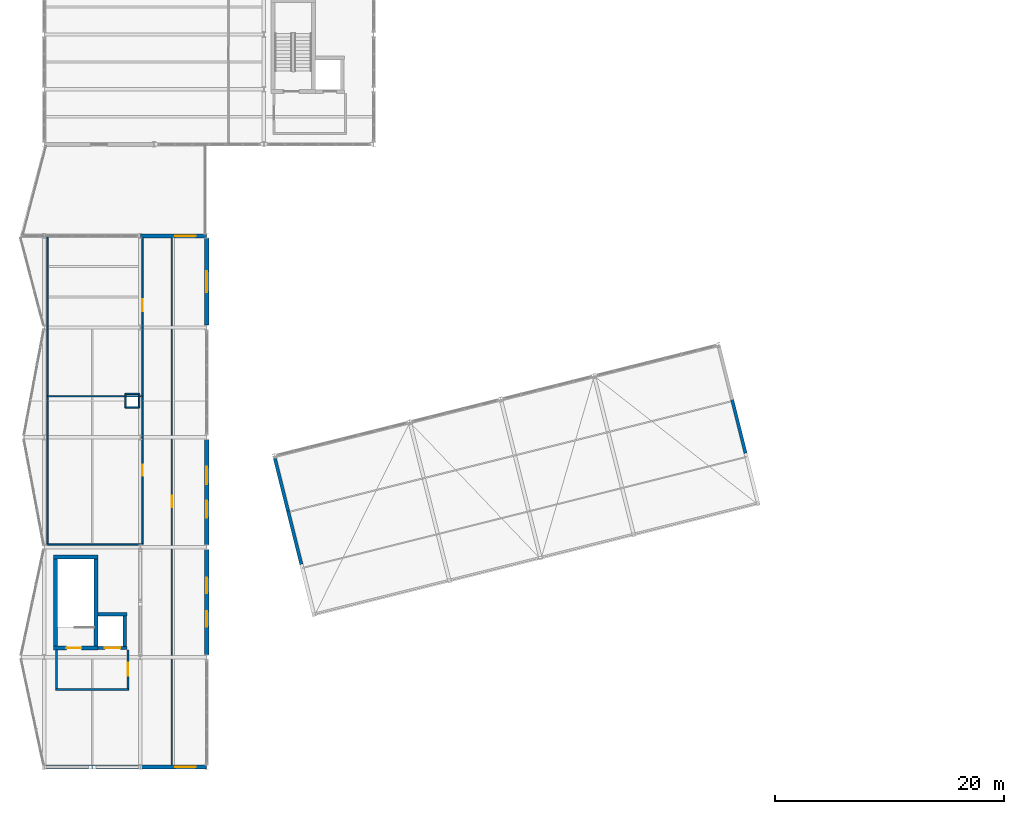
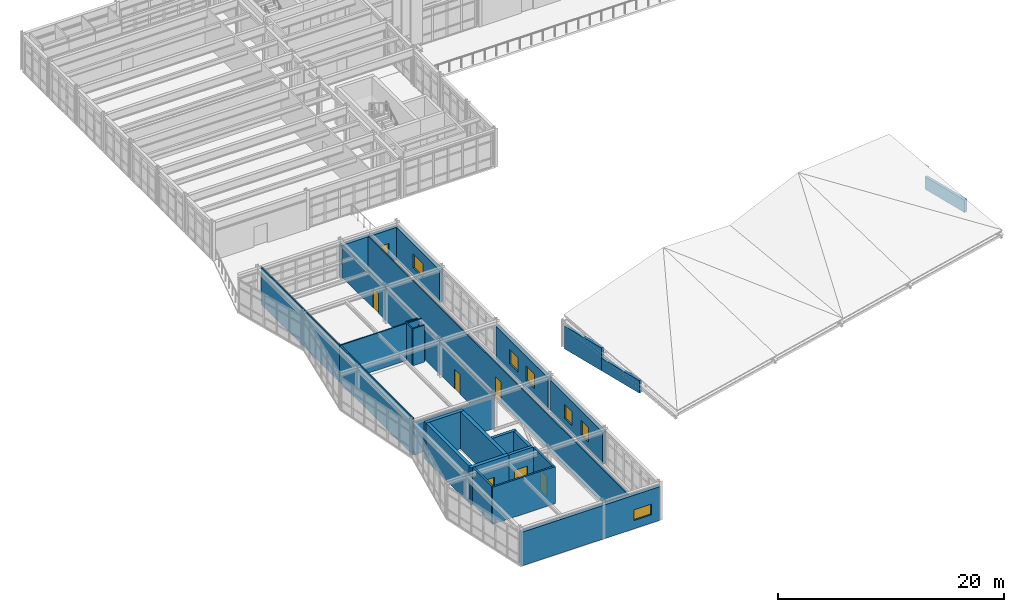
# One storey, part 40 of 47: 30 walls, 7 windows, 6 doors, 13 openings.
"""IFC4 building model written with IfcOpenShell, lengths in metres."""

from ifc_helpers import new_model, si_unit, direction, frame, frame_2d, origin, place, context, subcontext, project, spatial, rectangle, extrude, material, layer, layer_set, type_object, element, fill, save


model = new_model("IFC4")

# Units and contexts
model_context = context("Model", 3, precision=1e-05, world=origin(), true_north=direction((0.0, 1.0)))
body_context = subcontext(model_context, "Body", "Model", "MODEL_VIEW")
ifc_project = project(units=[si_unit("LENGTHUNIT", "METRE"), si_unit("AREAUNIT", "SQUARE_METRE"), si_unit("VOLUMEUNIT", "CUBIC_METRE"), si_unit("PLANEANGLEUNIT", "RADIAN"), si_unit("MASSUNIT", "GRAM", prefix="KILO")], contexts=[model_context])

# Site, building, storey
site_placement = place(None, origin())
site = spatial("IfcSite", under=ifc_project, at=site_placement, CompositionType="ELEMENT")
building_placement = place(site_placement, origin())
building = spatial("IfcBuilding", under=site, at=building_placement, Name="Nordkorset Police Headquarters", CompositionType="ELEMENT")
storey_placement = place(building_placement, frame((0.0, 0.0, 22.050048828125)))
storey = spatial("IfcBuildingStorey", under=building, at=storey_placement, Name="L05", CompositionType="ELEMENT", Elevation=22.050048828125)

# Walls
ifc_material_1 = material(Name="Gypsum board", Category="gypsum")
ifc_layer_1 = layer(ifc_material_1, 0.179931640625, Name="Gypsum board")
ifc_layer_set_1 = layer_set([ifc_layer_1], Name="Gypsum board")
wall_type_1 = type_object("IfcWallType", Name="Wall_Comp_180", PredefinedType="PARTITIONING", material=ifc_layer_set_1)
wall_1_placement = place(storey_placement, frame((1.0, 35.56005859375, 0.0), z_axis=(0.0, 0.0, 1.0), x_axis=(1.0, 0.0, 0.0)))
element("IfcWall", 1, at=wall_1_placement, inside=storey, type_object=wall_type_1, Name="Firefighting Lobby EI 60 Wall K4 L05 S", PredefinedType="PARTITIONING", context=body_context, shape_type="SweptSolid", body=[
    extrude(rectangle(XDim=6.39990234375, YDim=0.179931640625, at=frame_2d((3.199951171875, 0.0))), origin(), (0.0, 0.0, 1.0), 4.0),
])
wall_2_placement = place(storey_placement, frame((1.090087890625, 35.64990234375, 0.0), z_axis=(0.0, 0.0, 1.0), x_axis=(0.0, 1.0, 0.0)))
element("IfcWall", 2, at=wall_2_placement, inside=storey, type_object=wall_type_1, Name="Firefighting Lobby EI 60 Wall K4 L05 W", PredefinedType="PARTITIONING", context=body_context, shape_type="SweptSolid", body=[
    extrude(rectangle(XDim=3.375, YDim=0.179931640625, at=frame_2d((1.6875, 0.0))), origin(), (0.0, 0.0, 1.0), 4.0),
])

# Wall, opening, door
wall_3_placement = place(storey_placement, frame((7.31005859375, 35.64990234375, 0.0), z_axis=(0.0, 0.0, 1.0), x_axis=(0.0, 1.0, 0.0)))
wall_3 = element("IfcWall", 3, at=wall_3_placement, inside=storey, type_object=wall_type_1, Name="Firefighting Lobby EI 60 Wall K4 L05 E", PredefinedType="PARTITIONING", context=body_context, shape_type="SweptSolid", body=[
    extrude(rectangle(XDim=3.375, YDim=0.179931640625, at=frame_2d((1.6875, 0.0))), origin(), (0.0, 0.0, 1.0), 4.0),
])
opening_1_placement = place(wall_3_placement, frame((1.112548828125, 0.0, 0.0)))
opening_1 = element("IfcOpeningElement", 4, at=opening_1_placement, cuts=wall_3, Name="Opening DR-01", PredefinedType="OPENING", context=body_context, shape_type="SweptSolid", body=[
    extrude(rectangle(XDim=1.14990234375, YDim=2.14990234375, at=frame_2d((0.574951171875, 1.074951171875))), frame((0.0, 0.10009765625, 0.0), z_axis=(0.0, -1.0, 0.0), x_axis=(1.0, 0.0, 0.0)), (0.0, 0.0, 1.0), 0.199951171875),
])
ifc_material_2 = material(Name="Steel S355J2", Category="steel")
door_type_1 = type_object("IfcDoorType", Name="Door_LobbySingle_1150x2150", OperationType="NOTDEFINED", PredefinedType="DOOR", material=ifc_material_2)
door_1_placement = place(opening_1_placement, origin())
door_1 = element("IfcDoor", 5, at=door_1_placement, inside=storey, type_object=door_type_1, Name="Firefighting Lobby Smoke Door K4 L05 E", OperationType="SINGLE_SWING_LEFT", OverallHeight=2.14990234375, OverallWidth=1.14990234375, PredefinedType="DOOR", context=body_context, shape_type="SweptSolid", body=[
    extrude(rectangle(XDim=1.14990234375, YDim=2.14990234375, at=frame_2d((0.574951171875, 1.074951171875))), frame((0.0, 0.02490234375, 0.0), z_axis=(0.0, -1.0, 0.0), x_axis=(1.0, 0.0, 0.0)), (0.0, 0.0, 1.0), 0.050048828125),
])
fill(opening_1, door_1)

ifc_material_3 = material(Name="Concrete C35/45", Category="concrete")
ifc_layer_2 = layer(ifc_material_3, 0.35009765625, Name="Concrete C35/45")
ifc_layer_set_2 = layer_set([ifc_layer_2], Name="Concrete C35/45")
wall_type_2 = type_object("IfcWallType", Name="Wall_CoreShear_350", PredefinedType="SHEAR", material=ifc_layer_set_2)
wall_4_placement = place(storey_placement, frame((0.824951171875, 39.199951171875, 0.0), z_axis=(0.0, 0.0, 1.0), x_axis=(1.0, 0.0, 0.0)))
wall_4 = element("IfcWall", 6, at=wall_4_placement, inside=storey, type_object=wall_type_2, Name="Core K4 Stair Shaft South Shear Wall L05", PredefinedType="SHEAR", context=body_context, shape_type="SweptSolid", body=[
    extrude(rectangle(XDim=3.900146484375, YDim=0.35009765625, at=frame_2d((1.9501953125, 0.0))), origin(), (0.0, 0.0, 1.0), 4.0),
])
opening_2_placement = place(wall_4_placement, frame((1.125, 0.0, 0.0)))
opening_2 = element("IfcOpeningElement", 7, at=opening_2_placement, cuts=wall_4, Name="Opening DR-20", PredefinedType="OPENING", context=body_context, shape_type="SweptSolid", body=[
    extrude(rectangle(XDim=1.300048828125, YDim=2.14990234375, at=frame_2d((0.64990234375, 1.074951171875))), frame((0.0, 0.18505859375, 0.0), z_axis=(0.0, -1.0, 0.0), x_axis=(1.0, 0.0, 0.0)), (0.0, 0.0, 1.0), 0.3701171875),
])
ifc_material_4 = material(Name="Steel S355J2", Category="steel")
door_type_2 = type_object("IfcDoorType", Name="Door_Stair_1300x2150", OperationType="NOTDEFINED", PredefinedType="DOOR", material=ifc_material_4)
door_2_placement = place(opening_2_placement, frame((1.300048828125, 0.0, 0.0), z_axis=(0.0, 0.0, 1.0), x_axis=(-1.0, 0.0, 0.0)))
door_2 = element("IfcDoor", 8, at=door_2_placement, inside=storey, type_object=door_type_2, Name="Protected Stair Fire Door ST-04 L05", OperationType="SINGLE_SWING_RIGHT", OverallHeight=2.14990234375, OverallWidth=1.300048828125, PredefinedType="DOOR", context=body_context, shape_type="SweptSolid", body=[
    extrude(rectangle(XDim=1.300048828125, YDim=2.14990234375, at=frame_2d((0.64990234375, 1.074951171875))), frame((0.0, 0.02490234375, 0.0), z_axis=(0.0, -1.0, 0.0), x_axis=(1.0, 0.0, 0.0)), (0.0, 0.0, 1.0), 0.050048828125),
])
fill(opening_2, door_2)

# Walls
wall_5_placement = place(storey_placement, frame((0.824951171875, 47.14990234375, 0.0), z_axis=(0.0, 0.0, 1.0), x_axis=(1.0, 0.0, 0.0)))
element("IfcWall", 9, at=wall_5_placement, inside=storey, type_object=wall_type_2, Name="Core K4 Stair Shaft North Shear Wall L05", PredefinedType="SHEAR", context=body_context, shape_type="SweptSolid", body=[
    extrude(rectangle(XDim=3.900146484375, YDim=0.35009765625, at=frame_2d((1.9501953125, 0.0))), origin(), (0.0, 0.0, 1.0), 4.0),
])
for number, where, z_axis, x_axis, name in (
    (10, (1.0, 39.375, 0.0), (0.0, 0.0, 1.0), (0.0, 1.0, 0.0), "Core K4 Stair Shaft West Shear Wall L05"),
    (11, (4.550048828125, 39.375, 0.0), (0.0, 0.0, 1.0), (0.0, 1.0, 0.0), "Core K4 Stair Shaft East Shear Wall L05"),
):
    element("IfcWall", number, at=place(storey_placement, frame(where, z_axis=z_axis, x_axis=x_axis)), inside=storey, type_object=wall_type_2, Name=name, PredefinedType="SHEAR", context=body_context, shape_type="SweptSolid", body=[
        extrude(rectangle(XDim=7.60009765625, YDim=0.35009765625, at=frame_2d((3.800048828125, 0.0))), origin(), (0.0, 0.0, 1.0), 4.0),
    ])

# Wall, openings, windows
ifc_material_5 = material(Name="Precast concrete C40/50", Category="concrete")
ifc_layer_3 = layer(ifc_material_5, 0.360107421875, Name="Precast concrete C40/50")
ifc_layer_set_3 = layer_set([ifc_layer_3], Name="Precast concrete C40/50")
wall_type_3 = type_object("IfcWallType", Name="Wall_ExtPrecast_360", PredefinedType="SOLIDWALL", material=ifc_layer_set_3)
wall_6_placement = place(storey_placement, frame((14.199951171875, 38.60205078125, 0.0), z_axis=(0.0, 0.0, 1.0), x_axis=(0.0, 1.0, 0.0)))
wall_6 = element("IfcWall", 12, at=wall_6_placement, inside=storey, type_object=wall_type_3, Name="Exterior Insulated Precast Wall L05 V3E-1", PredefinedType="SOLIDWALL", context=body_context, shape_type="SweptSolid", body=[
    extrude(rectangle(XDim=9.196044921875, YDim=0.360107421875, at=frame_2d((4.59814453125, 0.0))), origin(), (0.0, 0.0, 1.0), 3.5048828125),
])
opening_3_placement = place(wall_6_placement, frame((2.456298828125, 0.0, 0.89990234375)))
opening_3 = element("IfcOpeningElement", 13, at=opening_3_placement, cuts=wall_6, Name="Opening WN-22", PredefinedType="OPENING", context=body_context, shape_type="SweptSolid", body=[
    extrude(rectangle(XDim=1.35009765625, YDim=1.550048828125, at=frame_2d((0.675048828125, 0.77490234375))), frame((0.0, 0.18994140625, 0.0), z_axis=(0.0, -1.0, 0.0), x_axis=(1.0, 0.0, 0.0)), (0.0, 0.0, 1.0), 0.380126953125),
])
opening_4_placement = place(wall_6_placement, frame((5.3896484375, 0.0, 0.89990234375)))
opening_4 = element("IfcOpeningElement", 14, at=opening_4_placement, cuts=wall_6, Name="Opening WN-22", PredefinedType="OPENING", context=body_context, shape_type="SweptSolid", body=[
    extrude(rectangle(XDim=1.35009765625, YDim=1.550048828125, at=frame_2d((0.675048828125, 0.77490234375))), frame((0.0, 0.18994140625, 0.0), z_axis=(0.0, -1.0, 0.0), x_axis=(1.0, 0.0, 0.0)), (0.0, 0.0, 1.0), 0.380126953125),
])
ifc_material_6 = material(Name="Low-iron triple glazing", Category="glass")
window_type_1 = type_object("IfcWindowType", Name="Win_1350x1550", PartitioningType="SINGLE_PANEL", PredefinedType="WINDOW", material=ifc_material_6)
window_1_placement = place(opening_3_placement, origin())
window_1 = element("IfcWindow", 15, at=window_1_placement, inside=storey, type_object=window_type_1, Name="Triple-Glazed Exterior Window L05 V3E-1-1", OverallHeight=1.550048828125, OverallWidth=1.35009765625, PartitioningType="SINGLE_PANEL", PredefinedType="WINDOW", context=body_context, shape_type="SweptSolid", body=[
    extrude(rectangle(XDim=1.35009765625, YDim=1.550048828125, at=frame_2d((0.675048828125, 0.77490234375))), frame((0.0, 0.030029296875, 0.0), z_axis=(0.0, -1.0, 0.0), x_axis=(1.0, 0.0, 0.0)), (0.0, 0.0, 1.0), 0.06005859375),
])
fill(opening_3, window_1)
window_2_placement = place(opening_4_placement, origin())
window_2 = element("IfcWindow", 16, at=window_2_placement, inside=storey, type_object=window_type_1, Name="Triple-Glazed Exterior Window L05 V3E-1-2", OverallHeight=1.550048828125, OverallWidth=1.35009765625, PartitioningType="SINGLE_PANEL", PredefinedType="WINDOW", context=body_context, shape_type="SweptSolid", body=[
    extrude(rectangle(XDim=1.35009765625, YDim=1.550048828125, at=frame_2d((0.675048828125, 0.77490234375))), frame((0.0, 0.030029296875, 0.0), z_axis=(0.0, -1.0, 0.0), x_axis=(1.0, 0.0, 0.0)), (0.0, 0.0, 1.0), 0.06005859375),
])
fill(opening_4, window_2)

wall_7_placement = place(storey_placement, frame((14.199951171875, 48.201904296875, 0.0), z_axis=(0.0, 0.0, 1.0), x_axis=(0.0, 1.0, 0.0)))
wall_7 = element("IfcWall", 17, at=wall_7_placement, inside=storey, type_object=wall_type_3, Name="Exterior Insulated Precast Wall L05 V3E-2", PredefinedType="SOLIDWALL", context=body_context, shape_type="SweptSolid", body=[
    extrude(rectangle(XDim=9.196044921875, YDim=0.360107421875, at=frame_2d((4.59814453125, 0.0))), origin(), (0.0, 0.0, 1.0), 3.5048828125),
])
opening_5_placement = place(wall_7_placement, frame((2.38134765625, 0.0, 0.89990234375)))
opening_5 = element("IfcOpeningElement", 18, at=opening_5_placement, cuts=wall_7, Name="Opening WN-50", PredefinedType="OPENING", context=body_context, shape_type="SweptSolid", body=[
    extrude(rectangle(XDim=1.5, YDim=1.550048828125, at=frame_2d((0.75, 0.77490234375))), frame((0.0, 0.18994140625, 0.0), z_axis=(0.0, -1.0, 0.0), x_axis=(1.0, 0.0, 0.0)), (0.0, 0.0, 1.0), 0.380126953125),
])
opening_6_placement = place(wall_7_placement, frame((5.314697265625, 0.0, 0.89990234375)))
opening_6 = element("IfcOpeningElement", 19, at=opening_6_placement, cuts=wall_7, Name="Opening WN-50", PredefinedType="OPENING", context=body_context, shape_type="SweptSolid", body=[
    extrude(rectangle(XDim=1.5, YDim=1.550048828125, at=frame_2d((0.75, 0.77490234375))), frame((0.0, 0.18994140625, 0.0), z_axis=(0.0, -1.0, 0.0), x_axis=(1.0, 0.0, 0.0)), (0.0, 0.0, 1.0), 0.380126953125),
])
ifc_material_7 = material(Name="Low-iron triple glazing", Category="glass")
window_type_2 = type_object("IfcWindowType", Name="Win_1500x1550", PartitioningType="SINGLE_PANEL", PredefinedType="WINDOW", material=ifc_material_7)
window_3_placement = place(opening_5_placement, origin())
window_3 = element("IfcWindow", 20, at=window_3_placement, inside=storey, type_object=window_type_2, Name="Triple-Glazed Exterior Window L05 V3E-2-1", OverallHeight=1.550048828125, OverallWidth=1.5, PartitioningType="SINGLE_PANEL", PredefinedType="WINDOW", context=body_context, shape_type="SweptSolid", body=[
    extrude(rectangle(XDim=1.5, YDim=1.550048828125, at=frame_2d((0.75, 0.77490234375))), frame((0.0, 0.030029296875, 0.0), z_axis=(0.0, -1.0, 0.0), x_axis=(1.0, 0.0, 0.0)), (0.0, 0.0, 1.0), 0.06005859375),
])
fill(opening_5, window_3)
window_4_placement = place(opening_6_placement, origin())
window_4 = element("IfcWindow", 21, at=window_4_placement, inside=storey, type_object=window_type_2, Name="Triple-Glazed Exterior Window L05 V3E-2-2", OverallHeight=1.550048828125, OverallWidth=1.5, PartitioningType="SINGLE_PANEL", PredefinedType="WINDOW", context=body_context, shape_type="SweptSolid", body=[
    extrude(rectangle(XDim=1.5, YDim=1.550048828125, at=frame_2d((0.75, 0.77490234375))), frame((0.0, 0.030029296875, 0.0), z_axis=(0.0, -1.0, 0.0), x_axis=(1.0, 0.0, 0.0)), (0.0, 0.0, 1.0), 0.06005859375),
])
fill(opening_6, window_4)

# Wall, opening, window
wall_8_placement = place(storey_placement, frame((14.199951171875, 67.402099609375, 0.0), z_axis=(0.0, 0.0, 1.0), x_axis=(0.0, 1.0, 0.0)))
wall_8 = element("IfcWall", 22, at=wall_8_placement, inside=storey, type_object=wall_type_3, Name="Exterior Insulated Precast Wall L05 V3E-4", PredefinedType="SOLIDWALL", context=body_context, shape_type="SweptSolid", body=[
    extrude(rectangle(XDim=7.595947265625, YDim=0.360107421875, at=frame_2d((3.7978515625, 0.0))), origin(), (0.0, 0.0, 1.0), 3.5048828125),
])
opening_7_placement = place(wall_8_placement, frame((2.89794921875, 0.0, 0.89990234375)))
opening_7 = element("IfcOpeningElement", 23, at=opening_7_placement, cuts=wall_8, Name="Opening WN-26", PredefinedType="OPENING", context=body_context, shape_type="SweptSolid", body=[
    extrude(rectangle(XDim=1.800048828125, YDim=1.550048828125, at=frame_2d((0.89990234375, 0.77490234375))), frame((0.0, 0.18994140625, 0.0), z_axis=(0.0, -1.0, 0.0), x_axis=(1.0, 0.0, 0.0)), (0.0, 0.0, 1.0), 0.380126953125),
])
ifc_material_8 = material(Name="Low-iron triple glazing", Category="glass")
window_type_3 = type_object("IfcWindowType", Name="Win_1800x1550", PartitioningType="SINGLE_PANEL", PredefinedType="WINDOW", material=ifc_material_8)
window_5_placement = place(opening_7_placement, origin())
window_5 = element("IfcWindow", 24, at=window_5_placement, inside=storey, type_object=window_type_3, Name="Triple-Glazed Exterior Window L05 V3E-4-1", OverallHeight=1.550048828125, OverallWidth=1.800048828125, PartitioningType="SINGLE_PANEL", PredefinedType="WINDOW", context=body_context, shape_type="SweptSolid", body=[
    extrude(rectangle(XDim=1.800048828125, YDim=1.550048828125, at=frame_2d((0.89990234375, 0.77490234375))), frame((0.0, 0.030029296875, 0.0), z_axis=(0.0, -1.0, 0.0), x_axis=(1.0, 0.0, 0.0)), (0.0, 0.0, 1.0), 0.06005859375),
])
fill(opening_7, window_5)

# Wall
wall_9_placement = place(storey_placement, frame((0.0087890625, 28.800048828125, 0.0), z_axis=(0.0, 0.0, 1.0), x_axis=(1.0, 0.0, 0.0)))
element("IfcWall", 25, at=wall_9_placement, inside=storey, type_object=wall_type_3, Name="Exterior Insulated Precast Wall L05 V3S-0A", PredefinedType="SOLIDWALL", context=body_context, shape_type="SweptSolid", body=[
    extrude(rectangle(XDim=8.382568359375, YDim=0.360107421875, at=frame_2d((4.19140625, 0.0))), origin(), (0.0, 0.0, 1.0), 3.635009765625),
])

# Wall, opening, window
wall_10_placement = place(storey_placement, frame((8.40869140625, 28.800048828125, 0.0), z_axis=(0.0, 0.0, 1.0), x_axis=(1.0, 0.0, 0.0)))
wall_10 = element("IfcWall", 26, at=wall_10_placement, inside=storey, type_object=wall_type_3, Name="Exterior Insulated Precast Wall L05 V3S-0B", PredefinedType="SOLIDWALL", context=body_context, shape_type="SweptSolid", body=[
    extrude(rectangle(XDim=5.782470703125, YDim=0.360107421875, at=frame_2d((2.89111328125, 0.0))), origin(), (0.0, 0.0, 1.0), 3.635009765625),
])
opening_8_placement = place(wall_10_placement, frame((3.041259765625, 0.0, 0.89990234375)))
opening_8 = element("IfcOpeningElement", 27, at=opening_8_placement, cuts=wall_10, Name="Opening WN-24", PredefinedType="OPENING", context=body_context, shape_type="SweptSolid", body=[
    extrude(rectangle(XDim=1.800048828125, YDim=1.14990234375, at=frame_2d((0.89990234375, 0.574951171875))), frame((0.0, 0.18994140625, 0.0), z_axis=(0.0, -1.0, 0.0), x_axis=(1.0, 0.0, 0.0)), (0.0, 0.0, 1.0), 0.380126953125),
])
ifc_material_9 = material(Name="Low-iron triple glazing", Category="glass")
window_type_4 = type_object("IfcWindowType", Name="Win_1800x1150", PartitioningType="SINGLE_PANEL", PredefinedType="WINDOW", material=ifc_material_9)
window_6_placement = place(opening_8_placement, origin())
window_6 = element("IfcWindow", 28, at=window_6_placement, inside=storey, type_object=window_type_4, Name="Triple-Glazed Exterior Window L05 V3S-0B-1", OverallHeight=1.14990234375, OverallWidth=1.800048828125, PartitioningType="SINGLE_PANEL", PredefinedType="WINDOW", context=body_context, shape_type="SweptSolid", body=[
    extrude(rectangle(XDim=1.800048828125, YDim=1.14990234375, at=frame_2d((0.89990234375, 0.574951171875))), frame((0.0, 0.030029296875, 0.0), z_axis=(0.0, -1.0, 0.0), x_axis=(1.0, 0.0, 0.0)), (0.0, 0.0, 1.0), 0.06005859375),
])
fill(opening_8, window_6)

wall_11_placement = place(storey_placement, frame((8.40869140625, 75.199951171875, 0.0), z_axis=(0.0, 0.0, 1.0), x_axis=(1.0, 0.0, 0.0)))
wall_11 = element("IfcWall", 29, at=wall_11_placement, inside=storey, type_object=wall_type_3, Name="Exterior Insulated Precast Wall L05 V3N-L05B", PredefinedType="SOLIDWALL", context=body_context, shape_type="SweptSolid", body=[
    extrude(rectangle(XDim=5.782470703125, YDim=0.360107421875, at=frame_2d((2.89111328125, 0.0))), origin(), (0.0, 0.0, 1.0), 3.5048828125),
])
opening_9_placement = place(wall_11_placement, frame((3.041259765625, 0.0, 0.89990234375)))
opening_9 = element("IfcOpeningElement", 30, at=opening_9_placement, cuts=wall_11, Name="Opening WN-24", PredefinedType="OPENING", context=body_context, shape_type="SweptSolid", body=[
    extrude(rectangle(XDim=1.800048828125, YDim=1.14990234375, at=frame_2d((0.89990234375, 0.574951171875))), frame((0.0, 0.18994140625, 0.0), z_axis=(0.0, -1.0, 0.0), x_axis=(1.0, 0.0, 0.0)), (0.0, 0.0, 1.0), 0.380126953125),
])
window_7_placement = place(opening_9_placement, origin())
window_7 = element("IfcWindow", 31, at=window_7_placement, inside=storey, type_object=window_type_4, Name="Triple-Glazed Exterior Window L05 V3N-L05B-1", OverallHeight=1.14990234375, OverallWidth=1.800048828125, PartitioningType="SINGLE_PANEL", PredefinedType="WINDOW", context=body_context, shape_type="SweptSolid", body=[
    extrude(rectangle(XDim=1.800048828125, YDim=1.14990234375, at=frame_2d((0.89990234375, 0.574951171875))), frame((0.0, 0.030029296875, 0.0), z_axis=(0.0, -1.0, 0.0), x_axis=(1.0, 0.0, 0.0)), (0.0, 0.0, 1.0), 0.06005859375),
])
fill(opening_9, window_7)

# Walls
ifc_material_10 = material(Name="Precast concrete C40/50", Category="concrete")
ifc_layer_4 = layer(ifc_material_10, 0.280029296875, Name="Precast concrete C40/50")
ifc_layer_set_4 = layer_set([ifc_layer_4], Name="Precast concrete C40/50")
wall_type_4 = type_object("IfcWallType", Name="Wall_ExtSpandrel_280", PredefinedType="SOLIDWALL", material=ifc_layer_set_4)
wall_12_placement = place(storey_placement, frame((22.4697265625, 46.520751953125, 0.0), z_axis=(0.0, 0.0, 1.0), x_axis=(-0.242501701449, 0.970150980412, 0.0)))
element("IfcWall", 32, at=wall_12_placement, inside=storey, type_object=wall_type_4, Name="Exterior Insulated Precast Wall L05 V4MS-W-0", PredefinedType="SOLIDWALL", context=body_context, shape_type="SweptSolid", body=[
    extrude(rectangle(XDim=5.080078125, YDim=0.280029296875, at=frame_2d((2.5400390625, 0.0))), origin(), (0.0, 0.0, 1.0), 1.349853515625),
])
wall_13_placement = place(storey_placement, frame((21.3056640625, 51.177490234375, 0.0), z_axis=(0.0, 0.0, 1.0), x_axis=(-0.242535625036, 0.970142500145, 0.0)))
element("IfcWall", 33, at=wall_13_placement, inside=storey, type_object=wall_type_4, Name="Exterior Insulated Precast Wall L05 V4MS-W-1", PredefinedType="SOLIDWALL", context=body_context, shape_type="SweptSolid", body=[
    extrude(rectangle(XDim=4.738037109375, YDim=0.280029296875, at=frame_2d((2.369140625, 0.0))), origin(), (0.0, 0.0, 1.0), 2.449951171875),
])
wall_14_placement = place(storey_placement, frame((61.275390625, 56.22216796875, 0.0), z_axis=(0.0, 0.0, 1.0), x_axis=(-0.242501701449, 0.970150980412, 0.0)))
element("IfcWall", 34, at=wall_14_placement, inside=storey, type_object=wall_type_4, Name="Exterior Insulated Precast Wall L05 V4MS-E-0", PredefinedType="SOLIDWALL", context=body_context, shape_type="SweptSolid", body=[
    extrude(rectangle(XDim=5.080078125, YDim=0.280029296875, at=frame_2d((2.5400390625, 0.0))), origin(), (0.0, 0.0, 1.0), 1.349853515625),
])
ifc_material_11 = material(Name="Gypsum board", Category="gypsum")
ifc_layer_5 = layer(ifc_material_11, 0.1201171875, Name="Gypsum board")
ifc_layer_set_5 = layer_set([ifc_layer_5], Name="Gypsum board")
wall_type_5 = type_object("IfcWallType", Name="Wall_Part_120", PredefinedType="PARTITIONING", material=ifc_layer_set_5)
wall_15_placement = place(storey_placement, frame((0.300048828125, 48.25, 0.0), z_axis=(0.0, 0.0, 1.0), x_axis=(1.0, 0.0, 0.0)))
element("IfcWall", 35, at=wall_15_placement, inside=storey, type_object=wall_type_5, Name="Interior Partition Wall Professional Standards and Audit Unit", PredefinedType="PARTITIONING", context=body_context, shape_type="SweptSolid", body=[
    extrude(rectangle(XDim=8.280029296875, YDim=0.1201171875, at=frame_2d((4.14013671875, 0.0))), origin(), (0.0, 0.0, 1.0), 3.5048828125),
])

# Wall, opening, door
wall_16_placement = place(storey_placement, frame((8.580078125, 48.25, 0.0), z_axis=(0.0, 0.0, 1.0), x_axis=(0.0, 1.0, 0.0)))
wall_16 = element("IfcWall", 36, at=wall_16_placement, inside=storey, type_object=wall_type_5, Name="Interior Partition Wall Professional Standards and Audit Unit", PredefinedType="PARTITIONING", context=body_context, shape_type="SweptSolid", body=[
    extrude(rectangle(XDim=12.949951171875, YDim=0.1201171875, at=frame_2d((6.47509765625, 0.0))), origin(), (0.0, 0.0, 1.0), 3.5048828125),
])
opening_10_placement = place(wall_16_placement, frame((5.985107421875, 0.0, 0.0)))
opening_10 = element("IfcOpeningElement", 37, at=opening_10_placement, cuts=wall_16, Name="Opening DR-18", PredefinedType="OPENING", context=body_context, shape_type="SweptSolid", body=[
    extrude(rectangle(XDim=0.97998046875, YDim=2.10009765625, at=frame_2d((0.489990234375, 1.050048828125))), frame((0.0, 0.070068359375, 0.0), z_axis=(0.0, -1.0, 0.0), x_axis=(1.0, 0.0, 0.0)), (0.0, 0.0, 1.0), 0.14013671875),
])
ifc_material_12 = material(Name="Glulam GL30c", Category="wood")
door_type_3 = type_object("IfcDoorType", Name="Door_Office_980x2100", OperationType="NOTDEFINED", PredefinedType="DOOR", material=ifc_material_12)
door_3_placement = place(opening_10_placement, frame((0.97998046875, 0.0, 0.0), z_axis=(0.0, 0.0, 1.0), x_axis=(-1.0, 0.0, 0.0)))
door_3 = element("IfcDoor", 38, at=door_3_placement, inside=storey, type_object=door_type_3, Name="Interior Door Professional Standards and Audit Unit", OperationType="SINGLE_SWING_RIGHT", OverallHeight=2.10009765625, OverallWidth=0.97998046875, PredefinedType="DOOR", context=body_context, shape_type="SweptSolid", body=[
    extrude(rectangle(XDim=0.97998046875, YDim=2.10009765625, at=frame_2d((0.489990234375, 1.050048828125))), frame((0.0, 0.02490234375, 0.0), z_axis=(0.0, -1.0, 0.0), x_axis=(1.0, 0.0, 0.0)), (0.0, 0.0, 1.0), 0.050048828125),
])
fill(opening_10, door_3)

# Walls
wall_17_placement = place(storey_placement, frame((8.580078125, 61.199951171875, 0.0), z_axis=(0.0, 0.0, 1.0), x_axis=(-1.0, 0.0, 0.0)))
element("IfcWall", 39, at=wall_17_placement, inside=storey, type_object=wall_type_5, Name="Interior Partition Wall Professional Standards and Audit Unit", PredefinedType="PARTITIONING", context=body_context, shape_type="SweptSolid", body=[
    extrude(rectangle(XDim=8.280029296875, YDim=0.1201171875, at=frame_2d((4.14013671875, 0.0))), origin(), (0.0, 0.0, 1.0), 4.0),
])
wall_18_placement = place(storey_placement, frame((0.300048828125, 61.199951171875, 0.0), z_axis=(0.0, 0.0, 1.0), x_axis=(0.0, -1.0, 0.0)))
element("IfcWall", 40, at=wall_18_placement, inside=storey, type_object=wall_type_5, Name="Interior Partition Wall Professional Standards and Audit Unit", PredefinedType="PARTITIONING", context=body_context, shape_type="SweptSolid", body=[
    extrude(rectangle(XDim=12.949951171875, YDim=0.1201171875, at=frame_2d((6.47509765625, 0.0))), origin(), (0.0, 0.0, 1.0), 4.0),
])

# Wall, opening, door
wall_19_placement = place(storey_placement, frame((8.580078125, 61.2548828125, 0.0), z_axis=(0.0, 0.0, 1.0), x_axis=(0.0, 1.0, 0.0)))
wall_19 = element("IfcWall", 41, at=wall_19_placement, inside=storey, type_object=wall_type_5, Name="Interior Partition Wall Information Governance and Privacy Office", PredefinedType="PARTITIONING", context=body_context, shape_type="SweptSolid", body=[
    extrude(rectangle(XDim=13.77001953125, YDim=0.1201171875, at=frame_2d((6.885009765625, 0.0))), origin(), (0.0, 0.0, 1.0), 3.5048828125),
])
opening_11_placement = place(wall_19_placement, frame((7.375, 0.0, 0.0)))
opening_11 = element("IfcOpeningElement", 42, at=opening_11_placement, cuts=wall_19, Name="Opening DR-19", PredefinedType="OPENING", context=body_context, shape_type="SweptSolid", body=[
    extrude(rectangle(XDim=1.02001953125, YDim=2.10009765625, at=frame_2d((0.510009765625, 1.050048828125))), frame((0.0, 0.070068359375, 0.0), z_axis=(0.0, -1.0, 0.0), x_axis=(1.0, 0.0, 0.0)), (0.0, 0.0, 1.0), 0.14013671875),
])
ifc_material_13 = material(Name="Glulam GL30c", Category="wood")
door_type_4 = type_object("IfcDoorType", Name="Door_Office_1020x2100", OperationType="NOTDEFINED", PredefinedType="DOOR", material=ifc_material_13)
door_4_placement = place(opening_11_placement, origin())
door_4 = element("IfcDoor", 43, at=door_4_placement, inside=storey, type_object=door_type_4, Name="Interior Door Information Governance and Privacy Office", OperationType="SINGLE_SWING_LEFT", OverallHeight=2.10009765625, OverallWidth=1.02001953125, PredefinedType="DOOR", context=body_context, shape_type="SweptSolid", body=[
    extrude(rectangle(XDim=1.02001953125, YDim=2.10009765625, at=frame_2d((0.510009765625, 1.050048828125))), frame((0.0, 0.02490234375, 0.0), z_axis=(0.0, -1.0, 0.0), x_axis=(1.0, 0.0, 0.0)), (0.0, 0.0, 1.0), 0.050048828125),
])
fill(opening_11, door_4)

# Wall
wall_20_placement = place(storey_placement, frame((0.300048828125, 75.114990234375, 0.0), z_axis=(0.0, 0.0, 1.0), x_axis=(0.0, -1.0, 0.0)))
element("IfcWall", 44, at=wall_20_placement, inside=storey, type_object=wall_type_5, Name="Interior Partition Wall Information Governance and Privacy Office", PredefinedType="PARTITIONING", context=body_context, shape_type="SweptSolid", body=[
    extrude(rectangle(XDim=13.860107421875, YDim=0.1201171875, at=frame_2d((6.93017578125, 0.0))), origin(), (0.0, 0.0, 1.0), 4.0),
])

# Wall, opening, door
wall_21_placement = place(storey_placement, frame((11.159912109375, 75.02490234375, 0.0), z_axis=(0.0, 0.0, 1.0), x_axis=(0.0, -1.0, 0.0)))
wall_21 = element("IfcWall", 45, at=wall_21_placement, inside=storey, type_object=wall_type_5, Name="Interior Partition Wall Civil Oversight Inspectorate Office", PredefinedType="PARTITIONING", context=body_context, shape_type="SweptSolid", body=[
    extrude(rectangle(XDim=46.0498046875, YDim=0.1201171875, at=frame_2d((23.02490234375, 0.0))), origin(), (0.0, 0.0, 1.0), 3.5849609375),
])
opening_12_placement = place(wall_21_placement, frame((22.534912109375, 0.0, 0.0)))
opening_12 = element("IfcOpeningElement", 46, at=opening_12_placement, cuts=wall_21, Name="Opening DR-18", PredefinedType="OPENING", context=body_context, shape_type="SweptSolid", body=[
    extrude(rectangle(XDim=0.97998046875, YDim=2.10009765625, at=frame_2d((0.489990234375, 1.050048828125))), frame((0.0, 0.070068359375, 0.0), z_axis=(0.0, -1.0, 0.0), x_axis=(1.0, 0.0, 0.0)), (0.0, 0.0, 1.0), 0.14013671875),
])
door_5_placement = place(opening_12_placement, frame((0.97998046875, 0.0, 0.0), z_axis=(0.0, 0.0, 1.0), x_axis=(-1.0, 0.0, 0.0)))
door_5 = element("IfcDoor", 47, at=door_5_placement, inside=storey, type_object=door_type_3, Name="Interior Door Civil Oversight Inspectorate Office", OperationType="SINGLE_SWING_RIGHT", OverallHeight=2.10009765625, OverallWidth=0.97998046875, PredefinedType="DOOR", context=body_context, shape_type="SweptSolid", body=[
    extrude(rectangle(XDim=0.97998046875, YDim=2.10009765625, at=frame_2d((0.489990234375, 1.050048828125))), frame((0.0, 0.02490234375, 0.0), z_axis=(0.0, -1.0, 0.0), x_axis=(1.0, 0.0, 0.0)), (0.0, 0.0, 1.0), 0.050048828125),
])
fill(opening_12, door_5)

# Walls
ifc_material_14 = material(Name="Gypsum board", Category="gypsum")
ifc_layer_6 = layer(ifc_material_14, 0.125, Name="Gypsum board")
ifc_layer_set_6 = layer_set([ifc_layer_6], Name="Gypsum board")
wall_type_6 = type_object("IfcWallType", Name="Wall_Riser_125", PredefinedType="PARTITIONING", material=ifc_layer_set_6)
wall_22_placement = place(storey_placement, frame((7.10009765625, 60.199951171875, 0.0), z_axis=(0.0, 0.0, 1.0), x_axis=(1.0, 0.0, 0.0)))
element("IfcWall", 48, at=wall_22_placement, inside=storey, type_object=wall_type_6, Name="Service Riser Enclosure RSR-V3 L05", PredefinedType="PARTITIONING", context=body_context, shape_type="SweptSolid", body=[
    extrude(rectangle(XDim=1.199951171875, YDim=0.125, at=frame_2d((0.60009765625, 0.0))), origin(), (0.0, 0.0, 1.0), 4.0),
])
wall_23_placement = place(storey_placement, frame((8.300048828125, 60.199951171875, 0.0), z_axis=(0.0, 0.0, 1.0), x_axis=(0.0, 1.0, 0.0)))
element("IfcWall", 49, at=wall_23_placement, inside=storey, type_object=wall_type_6, Name="Service Riser Enclosure RSR-V3 L05", PredefinedType="PARTITIONING", context=body_context, shape_type="SweptSolid", body=[
    extrude(rectangle(XDim=1.199951171875, YDim=0.125, at=frame_2d((0.60009765625, 0.0))), origin(), (0.0, 0.0, 1.0), 3.5048828125),
])
for number, where, z_axis, x_axis, name in (
    (50, (8.300048828125, 61.39990234375, 0.0), (0.0, 0.0, 1.0), (-1.0, 0.0, 0.0), "Service Riser Enclosure RSR-V3 L05"),
    (51, (7.10009765625, 61.39990234375, 0.0), (0.0, 0.0, 1.0), (0.0, -1.0, 0.0), "Service Riser Enclosure RSR-V3 L05"),
):
    element("IfcWall", number, at=place(storey_placement, frame(where, z_axis=z_axis, x_axis=x_axis)), inside=storey, type_object=wall_type_6, Name=name, PredefinedType="PARTITIONING", context=body_context, shape_type="SweptSolid", body=[
        extrude(rectangle(XDim=1.199951171875, YDim=0.125, at=frame_2d((0.60009765625, 0.0))), origin(), (0.0, 0.0, 1.0), 4.0),
    ])

# Wall, opening, door
ifc_material_15 = material(Name="Concrete C35/45", Category="concrete")
ifc_layer_7 = layer(ifc_material_15, 0.300048828125, Name="Concrete C35/45")
ifc_layer_set_7 = layer_set([ifc_layer_7], Name="Concrete C35/45")
wall_type_7 = type_object("IfcWallType", Name="Wall_ShaftShear_300", PredefinedType="SHEAR", material=ifc_layer_set_7)
wall_24_placement = place(storey_placement, frame((4.72509765625, 39.199951171875, 0.0), z_axis=(0.0, 0.0, 1.0), x_axis=(1.0, 0.0, 0.0)))
wall_24 = element("IfcWall", 52, at=wall_24_placement, inside=storey, type_object=wall_type_7, Name="Lift Shaft LF-06 Front Shear Wall L05", PredefinedType="SHEAR", context=body_context, shape_type="SweptSolid", body=[
    extrude(rectangle(XDim=2.5, YDim=0.300048828125, at=frame_2d((1.25, 0.0))), origin(), (0.0, 0.0, 1.0), 4.0),
])
opening_13_placement = place(wall_24_placement, frame((0.574951171875, 0.0, 0.0)))
opening_13 = element("IfcOpeningElement", 53, at=opening_13_placement, cuts=wall_24, Name="Opening LD-06", PredefinedType="OPENING", context=body_context, shape_type="SweptSolid", body=[
    extrude(rectangle(XDim=1.35009765625, YDim=2.14990234375, at=frame_2d((0.675048828125, 1.074951171875))), frame((0.0, 0.16015625, 0.0), z_axis=(0.0, -1.0, 0.0), x_axis=(1.0, 0.0, 0.0)), (0.0, 0.0, 1.0), 0.320068359375),
])
ifc_material_16 = material(Name="Steel S355J2", Category="steel")
door_type_5 = type_object("IfcDoorType", Name="Door_LiftGoods_1350x2150", OperationType="SLIDING_TO_RIGHT", PredefinedType="DOOR", material=ifc_material_16)
door_6_placement = place(opening_13_placement, frame((1.35009765625, 0.0, 0.0), z_axis=(0.0, 0.0, 1.0), x_axis=(-1.0, 0.0, 0.0)))
door_6 = element("IfcDoor", 54, at=door_6_placement, inside=storey, type_object=door_type_5, Name="Lift Landing Sliding Door LF-06 L05", OperationType="SLIDING_TO_RIGHT", OverallHeight=2.14990234375, OverallWidth=1.35009765625, PredefinedType="DOOR", context=body_context, shape_type="SweptSolid", body=[
    extrude(rectangle(XDim=1.35009765625, YDim=2.14990234375, at=frame_2d((0.675048828125, 1.074951171875))), frame((0.0, 0.02490234375, 0.0), z_axis=(0.0, -1.0, 0.0), x_axis=(1.0, 0.0, 0.0)), (0.0, 0.0, 1.0), 0.050048828125),
])
fill(opening_13, door_6)

# Walls
wall_25_placement = place(storey_placement, frame((4.72509765625, 42.14990234375, 0.0), z_axis=(0.0, 0.0, 1.0), x_axis=(1.0, 0.0, 0.0)))
element("IfcWall", 55, at=wall_25_placement, inside=storey, type_object=wall_type_7, Name="Lift Shaft LF-06 Rear Shear Wall L05", PredefinedType="SHEAR", context=body_context, shape_type="SweptSolid", body=[
    extrude(rectangle(XDim=2.5, YDim=0.300048828125, at=frame_2d((1.25, 0.0))), origin(), (0.0, 0.0, 1.0), 4.0),
])
wall_26_placement = place(storey_placement, frame((7.050048828125, 39.35009765625, 0.0), z_axis=(0.0, 0.0, 1.0), x_axis=(0.0, 1.0, 0.0)))
element("IfcWall", 56, at=wall_26_placement, inside=storey, type_object=wall_type_7, Name="Lift Shaft LF-06 East Shear Wall L05", PredefinedType="SHEAR", context=body_context, shape_type="SweptSolid", body=[
    extrude(rectangle(XDim=2.64990234375, YDim=0.300048828125, at=frame_2d((1.324951171875, 0.0))), origin(), (0.0, 0.0, 1.0), 4.0),
])

save(model, "model.ifc")
